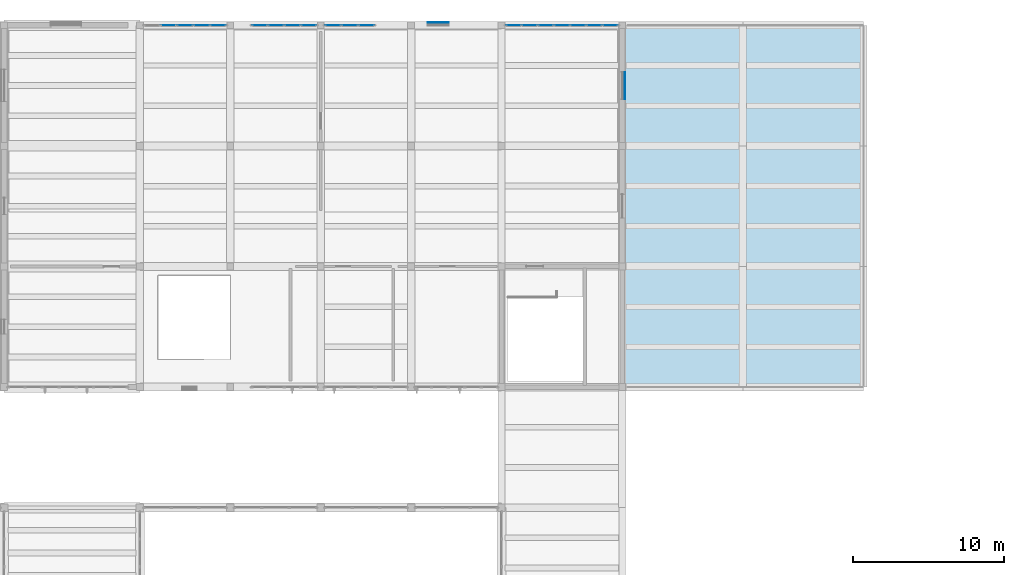
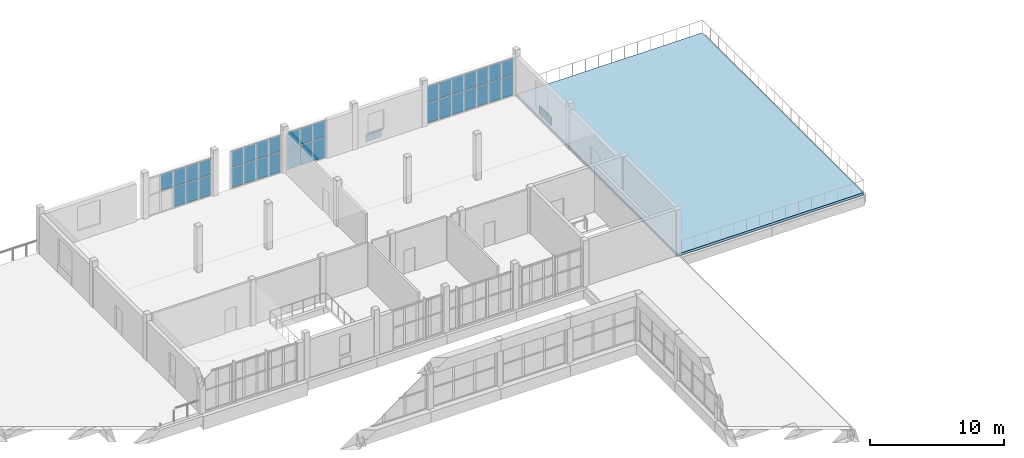
# One storey, part 49 of 70: 37 plates, 1 slab, 4 elements without a shape of their own.
"""IFC4 building model written with IfcOpenShell, lengths in metres."""

from ifc_helpers import new_model, si_unit, direction, frame, origin, origin_2d, place, context, subcontext, project, spatial, polyline, rectangle, outline, extrude, material, layer, layer_set, type_object, element, aggregate, save


model = new_model("IFC4")

# Units and contexts
model_context = context("Model", 3, precision=1e-05, world=origin(), true_north=direction((0.0, 1.0)))
body_context = subcontext(model_context, "Body", "Model", "MODEL_VIEW")
ifc_project = project(units=[si_unit("LENGTHUNIT", "METRE"), si_unit("AREAUNIT", "SQUARE_METRE"), si_unit("VOLUMEUNIT", "CUBIC_METRE"), si_unit("PLANEANGLEUNIT", "RADIAN"), si_unit("MASSUNIT", "GRAM", prefix="KILO")], contexts=[model_context])

# Site, building, storey
site_placement = place(None, origin())
site = spatial("IfcSite", under=ifc_project, at=site_placement, CompositionType="ELEMENT")
building_placement = place(site_placement, origin())
building = spatial("IfcBuilding", under=site, at=building_placement, Name="Solvane Community Centre", CompositionType="ELEMENT")
storey_placement = place(building_placement, frame((0.0, 0.0, 9.60009765625)))
storey = spatial("IfcBuildingStorey", under=building, at=storey_placement, Name="L02", CompositionType="ELEMENT", Elevation=9.60009765625)

# Plates
ifc_material_1 = material(Name="Anodised bronze aluminium AW-6063 T6", Category="aluminium")
ifc_layer_1 = layer(ifc_material_1, 0.02392578125)
ifc_layer_set_1 = layer_set([ifc_layer_1], Name="Anodised bronze aluminium AW-6063 T6")
plate_type_1 = type_object("IfcPlateType", Name="Bronze Spandrel Cassette 24mm", PredefinedType="SHEET", material=ifc_layer_set_1)
plate_1_placement = place(storey_placement, frame((55.800048828125, 110.18701171875, 0.06005859375), z_axis=(0.0, 0.0, 1.0), x_axis=(1.0, 0.0, 0.0)))
element("IfcPlate", 1, at=plate_1_placement, inside=storey, type_object=plate_type_1, Name="Art Deco Spandrel SPC-L02-038", PredefinedType="SHEET", context=body_context, shape_type="SweptSolid", body=[
    extrude(rectangle(XDim=1.39990234375, YDim=0.02392578125, at=origin_2d()), origin(), (0.0, 0.0, 1.0), 0.719970703125),
])
plate_2_placement = place(storey_placement, frame((68.18701171875, 106.0, 0.06005859375), z_axis=(0.0, 0.0, 1.0), x_axis=(0.0, -1.0, 0.0)))
element("IfcPlate", 2, at=plate_2_placement, inside=storey, type_object=plate_type_1, Name="Art Deco Spandrel SPC-L02-039", PredefinedType="SHEET", context=body_context, shape_type="SweptSolid", body=[
    extrude(rectangle(XDim=1.800048828125, YDim=0.02392578125, at=origin_2d()), origin(), (0.0, 0.0, 1.0), 0.719970703125),
])

# Slab
ifc_material_2 = material(Name="Concrete C35/45", Category="concrete")
ifc_layer_2 = layer(ifc_material_2, 0.219970703125)
ifc_layer_set_2 = layer_set([ifc_layer_2], Name="Concrete C35/45")
slab_type = type_object("IfcSlabType", Name="Insulated Planted Terrace Slab 220mm [TER-L02-V5E]", PredefinedType="FLOOR", material=ifc_layer_set_2)
slab_placement = place(storey_placement, frame((0.0, 0.0, -0.22021484375)))
element("IfcSlab", 3, at=slab_placement, inside=storey, type_object=slab_type, Name="Cloister East Roof Garden", PredefinedType="FLOOR", context=body_context, shape_type="SweptSolid", body=[
    extrude(outline(polyline([(68.0, 86.0), (84.0, 86.0), (84.0, 110.0), (68.0, 110.0), (68.0, 86.0)])), origin(), (0.0, 0.0, 1.0), 0.22021484375),
])

# Curtain wall, plates
ifc_layer_3 = layer(ifc_material_1, 0.18994140625)
ifc_layer_set_3 = layer_set([ifc_layer_3], Name="Anodised bronze aluminium AW-6063 T6")
curtain_wall_type_1 = type_object("IfcCurtainWallType", Name="Boulevard Bronze Vision Curtain Wall [34x35dm]", PredefinedType="NOTDEFINED", material=ifc_layer_set_3)
curtain_wall_1_placement = place(storey_placement, origin())
curtain_wall_1 = element("IfcCurtainWall", 4, at=curtain_wall_1_placement, inside=storey, type_object=curtain_wall_type_1, Name="Curtain Wall CW-L02-482_1100-208", PredefinedType="NOTDEFINED")
ifc_material_3 = material(Name="Tempered low-E double glazing", Category="glass")
ifc_layer_4 = layer(ifc_material_3, 0.028076171875)
ifc_layer_set_4 = layer_set([ifc_layer_4], Name="Tempered low-E double glazing")
plate_type_2 = type_object("IfcPlateType", Name="Low-E Vision Glazing Panel 28mm [34x35dm]", PredefinedType="CURTAIN_PANEL", material=ifc_layer_set_4)
plate_3_placement = place(storey_placement, frame((48.819091796875, 110.0, 0.06005859375), z_axis=(0.0, 0.0, 1.0), x_axis=(1.0, 0.0, 0.0)))
plate_3 = element("IfcPlate", 5, at=plate_3_placement, type_object=plate_type_2, Name="CW02-34x35 panel 1.1", PredefinedType="CURTAIN_PANEL", context=body_context, shape_type="SweptSolid", body=[
    extrude(rectangle(XDim=1.0283203125, YDim=0.028076171875, at=origin_2d()), origin(), (0.0, 0.0, 1.0), 1.81591796875),
])
plate_4_placement = place(storey_placement, frame((48.819091796875, 110.0, 1.93603515625), z_axis=(0.0, 0.0, 1.0), x_axis=(1.0, 0.0, 0.0)))
plate_4 = element("IfcPlate", 6, at=plate_4_placement, type_object=plate_type_2, Name="CW02-34x35 panel 1.2", PredefinedType="CURTAIN_PANEL", context=body_context, shape_type="SweptSolid", body=[
    extrude(rectangle(XDim=1.0283203125, YDim=0.028076171875, at=origin_2d()), origin(), (0.0, 0.0, 1.0), 1.468994140625),
])
plate_5_placement = place(storey_placement, frame((49.922607421875, 110.0, 0.06005859375), z_axis=(0.0, 0.0, 1.0), x_axis=(1.0, 0.0, 0.0)))
plate_5 = element("IfcPlate", 7, at=plate_5_placement, type_object=plate_type_2, Name="CW02-34x35 panel 2.1", PredefinedType="CURTAIN_PANEL", context=body_context, shape_type="SweptSolid", body=[
    extrude(rectangle(XDim=1.058349609375, YDim=0.028076171875, at=origin_2d()), origin(), (0.0, 0.0, 1.0), 1.81591796875),
])
plate_6_placement = place(storey_placement, frame((49.922607421875, 110.0, 1.93603515625), z_axis=(0.0, 0.0, 1.0), x_axis=(1.0, 0.0, 0.0)))
plate_6 = element("IfcPlate", 8, at=plate_6_placement, type_object=plate_type_2, Name="CW02-34x35 panel 2.2", PredefinedType="CURTAIN_PANEL", context=body_context, shape_type="SweptSolid", body=[
    extrude(rectangle(XDim=1.058349609375, YDim=0.028076171875, at=origin_2d()), origin(), (0.0, 0.0, 1.0), 1.468994140625),
])
plate_7_placement = place(storey_placement, frame((51.02587890625, 110.0, 0.06005859375), z_axis=(0.0, 0.0, 1.0), x_axis=(1.0, 0.0, 0.0)))
plate_7 = element("IfcPlate", 9, at=plate_7_placement, type_object=plate_type_2, Name="CW02-34x35 panel 3.1", PredefinedType="CURTAIN_PANEL", context=body_context, shape_type="SweptSolid", body=[
    extrude(rectangle(XDim=1.0283203125, YDim=0.028076171875, at=origin_2d()), origin(), (0.0, 0.0, 1.0), 1.81591796875),
])
plate_8_placement = place(storey_placement, frame((51.02587890625, 110.0, 1.93603515625), z_axis=(0.0, 0.0, 1.0), x_axis=(1.0, 0.0, 0.0)))
plate_8 = element("IfcPlate", 10, at=plate_8_placement, type_object=plate_type_2, Name="CW02-34x35 panel 3.2", PredefinedType="CURTAIN_PANEL", context=body_context, shape_type="SweptSolid", body=[
    extrude(rectangle(XDim=1.0283203125, YDim=0.028076171875, at=origin_2d()), origin(), (0.0, 0.0, 1.0), 1.468994140625),
])
aggregate(curtain_wall_1, [plate_3, plate_4, plate_5, plate_6, plate_7, plate_8])

ifc_layer_5 = layer(ifc_material_1, 0.18994140625)
ifc_layer_set_5 = layer_set([ifc_layer_5], Name="Anodised bronze aluminium AW-6063 T6")
curtain_wall_type_2 = type_object("IfcCurtainWallType", Name="Boulevard Bronze Vision Curtain Wall [44x35dm]", PredefinedType="NOTDEFINED", material=ifc_layer_set_5)
curtain_wall_2_placement = place(storey_placement, origin())
curtain_wall_2 = element("IfcCurtainWall", 11, at=curtain_wall_2_placement, inside=storey, type_object=curtain_wall_type_2, Name="Curtain Wall CW-L02-434_1100-207", PredefinedType="NOTDEFINED")
ifc_layer_6 = layer(ifc_material_3, 0.028076171875)
ifc_layer_set_6 = layer_set([ifc_layer_6], Name="Tempered low-E double glazing")
plate_type_3 = type_object("IfcPlateType", Name="Low-E Vision Glazing Panel 28mm [44x35dm]", PredefinedType="CURTAIN_PANEL", material=ifc_layer_set_6)
plate_9_placement = place(storey_placement, frame((43.95947265625, 110.0, 0.06005859375), z_axis=(0.0, 0.0, 1.0), x_axis=(1.0, 0.0, 0.0)))
plate_9 = element("IfcPlate", 12, at=plate_9_placement, type_object=plate_type_3, Name="CW02-44x35 panel 1.1", PredefinedType="CURTAIN_PANEL", context=body_context, shape_type="SweptSolid", body=[
    extrude(rectangle(XDim=0.998779296875, YDim=0.028076171875, at=origin_2d()), origin(), (0.0, 0.0, 1.0), 1.81591796875),
])
plate_10_placement = place(storey_placement, frame((43.95947265625, 110.0, 1.93603515625), z_axis=(0.0, 0.0, 1.0), x_axis=(1.0, 0.0, 0.0)))
plate_10 = element("IfcPlate", 13, at=plate_10_placement, type_object=plate_type_3, Name="CW02-44x35 panel 1.2", PredefinedType="CURTAIN_PANEL", context=body_context, shape_type="SweptSolid", body=[
    extrude(rectangle(XDim=0.998779296875, YDim=0.028076171875, at=origin_2d()), origin(), (0.0, 0.0, 1.0), 1.468994140625),
])
plate_11_placement = place(storey_placement, frame((45.033203125, 110.0, 0.06005859375), z_axis=(0.0, 0.0, 1.0), x_axis=(1.0, 0.0, 0.0)))
plate_11 = element("IfcPlate", 14, at=plate_11_placement, type_object=plate_type_3, Name="CW02-44x35 panel 2.1", PredefinedType="CURTAIN_PANEL", context=body_context, shape_type="SweptSolid", body=[
    extrude(rectangle(XDim=1.02880859375, YDim=0.028076171875, at=origin_2d()), origin(), (0.0, 0.0, 1.0), 1.81591796875),
])
plate_12_placement = place(storey_placement, frame((45.033203125, 110.0, 1.93603515625), z_axis=(0.0, 0.0, 1.0), x_axis=(1.0, 0.0, 0.0)))
plate_12 = element("IfcPlate", 15, at=plate_12_placement, type_object=plate_type_3, Name="CW02-44x35 panel 2.2", PredefinedType="CURTAIN_PANEL", context=body_context, shape_type="SweptSolid", body=[
    extrude(rectangle(XDim=1.02880859375, YDim=0.028076171875, at=origin_2d()), origin(), (0.0, 0.0, 1.0), 1.468994140625),
])
plate_13_placement = place(storey_placement, frame((46.121826171875, 110.0, 0.06005859375), z_axis=(0.0, 0.0, 1.0), x_axis=(1.0, 0.0, 0.0)))
plate_13 = element("IfcPlate", 16, at=plate_13_placement, type_object=plate_type_3, Name="CW02-44x35 panel 3.1", PredefinedType="CURTAIN_PANEL", context=body_context, shape_type="SweptSolid", body=[
    extrude(rectangle(XDim=1.02880859375, YDim=0.028076171875, at=origin_2d()), origin(), (0.0, 0.0, 1.0), 1.81591796875),
])
plate_14_placement = place(storey_placement, frame((46.121826171875, 110.0, 1.93603515625), z_axis=(0.0, 0.0, 1.0), x_axis=(1.0, 0.0, 0.0)))
plate_14 = element("IfcPlate", 17, at=plate_14_placement, type_object=plate_type_3, Name="CW02-44x35 panel 3.2", PredefinedType="CURTAIN_PANEL", context=body_context, shape_type="SweptSolid", body=[
    extrude(rectangle(XDim=1.02880859375, YDim=0.028076171875, at=origin_2d()), origin(), (0.0, 0.0, 1.0), 1.468994140625),
])
plate_15_placement = place(storey_placement, frame((47.195556640625, 110.0, 0.06005859375), z_axis=(0.0, 0.0, 1.0), x_axis=(1.0, 0.0, 0.0)))
plate_15 = element("IfcPlate", 18, at=plate_15_placement, type_object=plate_type_3, Name="CW02-44x35 panel 4.1", PredefinedType="CURTAIN_PANEL", context=body_context, shape_type="SweptSolid", body=[
    extrude(rectangle(XDim=0.998779296875, YDim=0.028076171875, at=origin_2d()), origin(), (0.0, 0.0, 1.0), 1.81591796875),
])
plate_16_placement = place(storey_placement, frame((47.195556640625, 110.0, 1.93603515625), z_axis=(0.0, 0.0, 1.0), x_axis=(1.0, 0.0, 0.0)))
plate_16 = element("IfcPlate", 19, at=plate_16_placement, type_object=plate_type_3, Name="CW02-44x35 panel 4.2", PredefinedType="CURTAIN_PANEL", context=body_context, shape_type="SweptSolid", body=[
    extrude(rectangle(XDim=0.998779296875, YDim=0.028076171875, at=origin_2d()), origin(), (0.0, 0.0, 1.0), 1.468994140625),
])
aggregate(curtain_wall_2, [plate_9, plate_10, plate_11, plate_12, plate_13, plate_14, plate_15, plate_16])

ifc_layer_7 = layer(ifc_material_1, 0.18994140625)
ifc_layer_set_7 = layer_set([ifc_layer_7], Name="Anodised bronze aluminium AW-6063 T6")
curtain_wall_type_3 = type_object("IfcCurtainWallType", Name="Boulevard Bronze Vision Curtain Wall [55x35dm]", PredefinedType="NOTDEFINED", material=ifc_layer_set_7)
curtain_wall_3_placement = place(storey_placement, origin())
curtain_wall_3 = element("IfcCurtainWall", 20, at=curtain_wall_3_placement, inside=storey, type_object=curtain_wall_type_3, Name="Curtain Wall CW-L02-362_1100-206", PredefinedType="NOTDEFINED")
ifc_layer_8 = layer(ifc_material_3, 0.028076171875)
ifc_layer_set_8 = layer_set([ifc_layer_8], Name="Tempered low-E double glazing")
plate_type_4 = type_object("IfcPlateType", Name="Low-E Vision Glazing Panel 28mm [55x35dm]", PredefinedType="CURTAIN_PANEL", material=ifc_layer_set_8)
plate_17_placement = place(storey_placement, frame((37.89794921875, 110.0, 1.93603515625), z_axis=(0.0, 0.0, 1.0), x_axis=(1.0, 0.0, 0.0)))
plate_17 = element("IfcPlate", 21, at=plate_17_placement, type_object=plate_type_4, Name="CW02-55x35 panel 2.2", PredefinedType="CURTAIN_PANEL", context=body_context, shape_type="SweptSolid", body=[
    extrude(rectangle(XDim=1.0419921875, YDim=0.028076171875, at=origin_2d()), origin(), (0.0, 0.0, 1.0), 1.468994140625),
])
plate_18_placement = place(storey_placement, frame((39.0, 110.0, 0.06005859375), z_axis=(0.0, 0.0, 1.0), x_axis=(1.0, 0.0, 0.0)))
plate_18 = element("IfcPlate", 22, at=plate_18_placement, type_object=plate_type_4, Name="CW02-55x35 panel 3.1", PredefinedType="CURTAIN_PANEL", context=body_context, shape_type="SweptSolid", body=[
    extrude(rectangle(XDim=1.0419921875, YDim=0.028076171875, at=origin_2d()), origin(), (0.0, 0.0, 1.0), 1.81591796875),
])
plate_19_placement = place(storey_placement, frame((39.0, 110.0, 1.93603515625), z_axis=(0.0, 0.0, 1.0), x_axis=(1.0, 0.0, 0.0)))
plate_19 = element("IfcPlate", 23, at=plate_19_placement, type_object=plate_type_4, Name="CW02-55x35 panel 3.2", PredefinedType="CURTAIN_PANEL", context=body_context, shape_type="SweptSolid", body=[
    extrude(rectangle(XDim=1.0419921875, YDim=0.028076171875, at=origin_2d()), origin(), (0.0, 0.0, 1.0), 1.468994140625),
])
plate_20_placement = place(storey_placement, frame((40.10205078125, 110.0, 0.06005859375), z_axis=(0.0, 0.0, 1.0), x_axis=(1.0, 0.0, 0.0)))
plate_20 = element("IfcPlate", 24, at=plate_20_placement, type_object=plate_type_4, Name="CW02-55x35 panel 4.1", PredefinedType="CURTAIN_PANEL", context=body_context, shape_type="SweptSolid", body=[
    extrude(rectangle(XDim=1.0419921875, YDim=0.028076171875, at=origin_2d()), origin(), (0.0, 0.0, 1.0), 1.81591796875),
])
plate_21_placement = place(storey_placement, frame((40.10205078125, 110.0, 1.93603515625), z_axis=(0.0, 0.0, 1.0), x_axis=(1.0, 0.0, 0.0)))
plate_21 = element("IfcPlate", 25, at=plate_21_placement, type_object=plate_type_4, Name="CW02-55x35 panel 4.2", PredefinedType="CURTAIN_PANEL", context=body_context, shape_type="SweptSolid", body=[
    extrude(rectangle(XDim=1.0419921875, YDim=0.028076171875, at=origin_2d()), origin(), (0.0, 0.0, 1.0), 1.468994140625),
])
plate_22_placement = place(storey_placement, frame((41.18896484375, 110.0, 0.06005859375), z_axis=(0.0, 0.0, 1.0), x_axis=(1.0, 0.0, 0.0)))
plate_22 = element("IfcPlate", 26, at=plate_22_placement, type_object=plate_type_4, Name="CW02-55x35 panel 5.1", PredefinedType="CURTAIN_PANEL", context=body_context, shape_type="SweptSolid", body=[
    extrude(rectangle(XDim=1.011962890625, YDim=0.028076171875, at=origin_2d()), origin(), (0.0, 0.0, 1.0), 1.81591796875),
])
plate_23_placement = place(storey_placement, frame((41.18896484375, 110.0, 1.93603515625), z_axis=(0.0, 0.0, 1.0), x_axis=(1.0, 0.0, 0.0)))
plate_23 = element("IfcPlate", 27, at=plate_23_placement, type_object=plate_type_4, Name="CW02-55x35 panel 5.2", PredefinedType="CURTAIN_PANEL", context=body_context, shape_type="SweptSolid", body=[
    extrude(rectangle(XDim=1.011962890625, YDim=0.028076171875, at=origin_2d()), origin(), (0.0, 0.0, 1.0), 1.468994140625),
])
aggregate(curtain_wall_3, [plate_17, plate_18, plate_19, plate_20, plate_21, plate_22, plate_23])

ifc_layer_9 = layer(ifc_material_1, 0.18994140625)
ifc_layer_set_9 = layer_set([ifc_layer_9], Name="Anodised bronze aluminium AW-6063 T6")
curtain_wall_type_4 = type_object("IfcCurtainWallType", Name="Boulevard Bronze Vision Curtain Wall [75x35dm]", PredefinedType="NOTDEFINED", material=ifc_layer_set_9)
curtain_wall_4_placement = place(storey_placement, origin())
curtain_wall_4 = element("IfcCurtainWall", 28, at=curtain_wall_4_placement, inside=storey, type_object=curtain_wall_type_4, Name="Curtain Wall CW-L02-602_1100-209", PredefinedType="NOTDEFINED")
ifc_layer_10 = layer(ifc_material_3, 0.028076171875)
ifc_layer_set_10 = layer_set([ifc_layer_10], Name="Tempered low-E double glazing")
plate_type_5 = type_object("IfcPlateType", Name="Low-E Vision Glazing Panel 28mm [75x35dm]", PredefinedType="CURTAIN_PANEL", material=ifc_layer_set_10)
plate_24_placement = place(storey_placement, frame((60.79638671875, 110.0, 0.06005859375), z_axis=(0.0, 0.0, 1.0), x_axis=(1.0, 0.0, 0.0)))
plate_24 = element("IfcPlate", 29, at=plate_24_placement, type_object=plate_type_5, Name="CW02-75x35 panel 1.1", PredefinedType="CURTAIN_PANEL", context=body_context, shape_type="SweptSolid", body=[
    extrude(rectangle(XDim=0.98291015625, YDim=0.028076171875, at=origin_2d()), origin(), (0.0, 0.0, 1.0), 1.81591796875),
])
plate_25_placement = place(storey_placement, frame((60.79638671875, 110.0, 1.93603515625), z_axis=(0.0, 0.0, 1.0), x_axis=(1.0, 0.0, 0.0)))
plate_25 = element("IfcPlate", 30, at=plate_25_placement, type_object=plate_type_5, Name="CW02-75x35 panel 1.2", PredefinedType="CURTAIN_PANEL", context=body_context, shape_type="SweptSolid", body=[
    extrude(rectangle(XDim=0.98291015625, YDim=0.028076171875, at=origin_2d()), origin(), (0.0, 0.0, 1.0), 1.468994140625),
])
plate_26_placement = place(storey_placement, frame((61.854248046875, 110.0, 0.06005859375), z_axis=(0.0, 0.0, 1.0), x_axis=(1.0, 0.0, 0.0)))
plate_26 = element("IfcPlate", 31, at=plate_26_placement, type_object=plate_type_5, Name="CW02-75x35 panel 2.1", PredefinedType="CURTAIN_PANEL", context=body_context, shape_type="SweptSolid", body=[
    extrude(rectangle(XDim=1.012939453125, YDim=0.028076171875, at=origin_2d()), origin(), (0.0, 0.0, 1.0), 1.81591796875),
])
plate_27_placement = place(storey_placement, frame((61.854248046875, 110.0, 1.93603515625), z_axis=(0.0, 0.0, 1.0), x_axis=(1.0, 0.0, 0.0)))
plate_27 = element("IfcPlate", 32, at=plate_27_placement, type_object=plate_type_5, Name="CW02-75x35 panel 2.2", PredefinedType="CURTAIN_PANEL", context=body_context, shape_type="SweptSolid", body=[
    extrude(rectangle(XDim=1.012939453125, YDim=0.028076171875, at=origin_2d()), origin(), (0.0, 0.0, 1.0), 1.468994140625),
])
plate_28_placement = place(storey_placement, frame((62.92724609375, 110.0, 0.06005859375), z_axis=(0.0, 0.0, 1.0), x_axis=(1.0, 0.0, 0.0)))
plate_28 = element("IfcPlate", 33, at=plate_28_placement, type_object=plate_type_5, Name="CW02-75x35 panel 3.1", PredefinedType="CURTAIN_PANEL", context=body_context, shape_type="SweptSolid", body=[
    extrude(rectangle(XDim=1.012939453125, YDim=0.028076171875, at=origin_2d()), origin(), (0.0, 0.0, 1.0), 1.81591796875),
])
plate_29_placement = place(storey_placement, frame((62.92724609375, 110.0, 1.93603515625), z_axis=(0.0, 0.0, 1.0), x_axis=(1.0, 0.0, 0.0)))
plate_29 = element("IfcPlate", 34, at=plate_29_placement, type_object=plate_type_5, Name="CW02-75x35 panel 3.2", PredefinedType="CURTAIN_PANEL", context=body_context, shape_type="SweptSolid", body=[
    extrude(rectangle(XDim=1.012939453125, YDim=0.028076171875, at=origin_2d()), origin(), (0.0, 0.0, 1.0), 1.468994140625),
])
plate_30_placement = place(storey_placement, frame((64.0, 110.0, 0.06005859375), z_axis=(0.0, 0.0, 1.0), x_axis=(1.0, 0.0, 0.0)))
plate_30 = element("IfcPlate", 35, at=plate_30_placement, type_object=plate_type_5, Name="CW02-75x35 panel 4.1", PredefinedType="CURTAIN_PANEL", context=body_context, shape_type="SweptSolid", body=[
    extrude(rectangle(XDim=1.012939453125, YDim=0.028076171875, at=origin_2d()), origin(), (0.0, 0.0, 1.0), 1.81591796875),
])
plate_31_placement = place(storey_placement, frame((64.0, 110.0, 1.93603515625), z_axis=(0.0, 0.0, 1.0), x_axis=(1.0, 0.0, 0.0)))
plate_31 = element("IfcPlate", 36, at=plate_31_placement, type_object=plate_type_5, Name="CW02-75x35 panel 4.2", PredefinedType="CURTAIN_PANEL", context=body_context, shape_type="SweptSolid", body=[
    extrude(rectangle(XDim=1.012939453125, YDim=0.028076171875, at=origin_2d()), origin(), (0.0, 0.0, 1.0), 1.468994140625),
])
plate_32_placement = place(storey_placement, frame((65.07275390625, 110.0, 0.06005859375), z_axis=(0.0, 0.0, 1.0), x_axis=(1.0, 0.0, 0.0)))
plate_32 = element("IfcPlate", 37, at=plate_32_placement, type_object=plate_type_5, Name="CW02-75x35 panel 5.1", PredefinedType="CURTAIN_PANEL", context=body_context, shape_type="SweptSolid", body=[
    extrude(rectangle(XDim=1.012939453125, YDim=0.028076171875, at=origin_2d()), origin(), (0.0, 0.0, 1.0), 1.81591796875),
])
plate_33_placement = place(storey_placement, frame((65.07275390625, 110.0, 1.93603515625), z_axis=(0.0, 0.0, 1.0), x_axis=(1.0, 0.0, 0.0)))
plate_33 = element("IfcPlate", 38, at=plate_33_placement, type_object=plate_type_5, Name="CW02-75x35 panel 5.2", PredefinedType="CURTAIN_PANEL", context=body_context, shape_type="SweptSolid", body=[
    extrude(rectangle(XDim=1.012939453125, YDim=0.028076171875, at=origin_2d()), origin(), (0.0, 0.0, 1.0), 1.468994140625),
])
plate_34_placement = place(storey_placement, frame((66.145751953125, 110.0, 0.06005859375), z_axis=(0.0, 0.0, 1.0), x_axis=(1.0, 0.0, 0.0)))
plate_34 = element("IfcPlate", 39, at=plate_34_placement, type_object=plate_type_5, Name="CW02-75x35 panel 6.1", PredefinedType="CURTAIN_PANEL", context=body_context, shape_type="SweptSolid", body=[
    extrude(rectangle(XDim=1.012939453125, YDim=0.028076171875, at=origin_2d()), origin(), (0.0, 0.0, 1.0), 1.81591796875),
])
plate_35_placement = place(storey_placement, frame((66.145751953125, 110.0, 1.93603515625), z_axis=(0.0, 0.0, 1.0), x_axis=(1.0, 0.0, 0.0)))
plate_35 = element("IfcPlate", 40, at=plate_35_placement, type_object=plate_type_5, Name="CW02-75x35 panel 6.2", PredefinedType="CURTAIN_PANEL", context=body_context, shape_type="SweptSolid", body=[
    extrude(rectangle(XDim=1.012939453125, YDim=0.028076171875, at=origin_2d()), origin(), (0.0, 0.0, 1.0), 1.468994140625),
])
plate_36_placement = place(storey_placement, frame((67.20361328125, 110.0, 0.06005859375), z_axis=(0.0, 0.0, 1.0), x_axis=(1.0, 0.0, 0.0)))
plate_36 = element("IfcPlate", 41, at=plate_36_placement, type_object=plate_type_5, Name="CW02-75x35 panel 7.1", PredefinedType="CURTAIN_PANEL", context=body_context, shape_type="SweptSolid", body=[
    extrude(rectangle(XDim=0.98291015625, YDim=0.028076171875, at=origin_2d()), origin(), (0.0, 0.0, 1.0), 1.81591796875),
])
plate_37_placement = place(storey_placement, frame((67.20361328125, 110.0, 1.93603515625), z_axis=(0.0, 0.0, 1.0), x_axis=(1.0, 0.0, 0.0)))
plate_37 = element("IfcPlate", 42, at=plate_37_placement, type_object=plate_type_5, Name="CW02-75x35 panel 7.2", PredefinedType="CURTAIN_PANEL", context=body_context, shape_type="SweptSolid", body=[
    extrude(rectangle(XDim=0.98291015625, YDim=0.028076171875, at=origin_2d()), origin(), (0.0, 0.0, 1.0), 1.468994140625),
])
aggregate(curtain_wall_4, [plate_24, plate_25, plate_26, plate_27, plate_28, plate_29, plate_30, plate_31, plate_32, plate_33, plate_34, plate_35, plate_36, plate_37])

save(model, "model.ifc")
